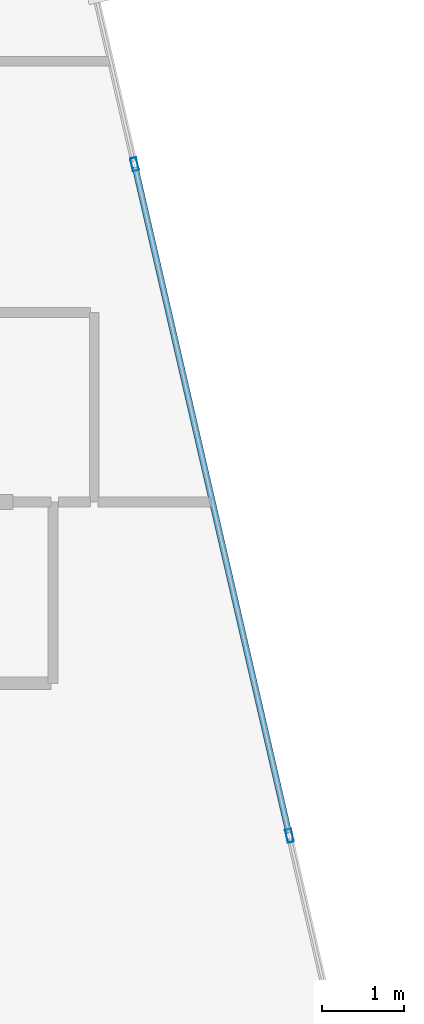
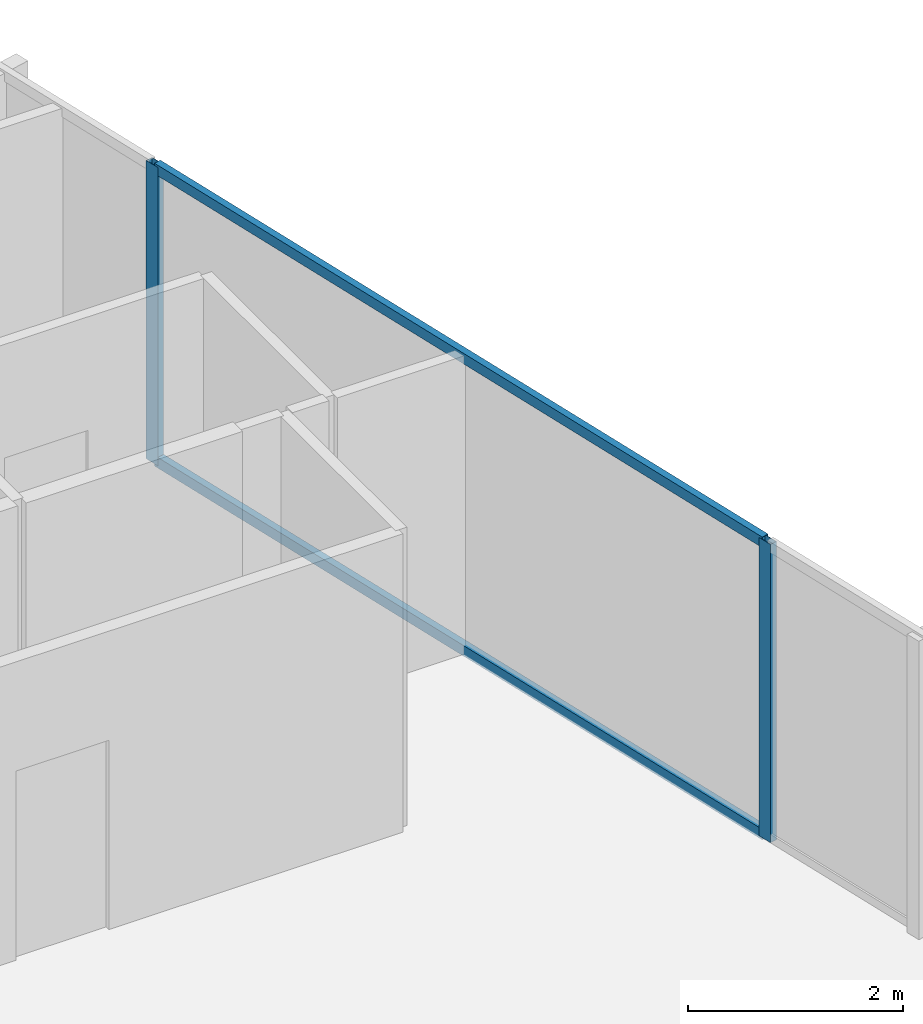
# One storey, part 20 of 29: 4 members, 1 element without a shape of its own.
"""IFC4 building model written with IfcOpenShell, lengths in metres."""

from ifc_helpers import new_model, si_unit, direction, frame, origin, origin_2d, place, context, subcontext, project, spatial, hollow_rectangle, extrude, material, layer, layer_set, material_profile, profile_set, type_object, element, aggregate, save


model = new_model("IFC4")

# Units and contexts
model_context = context("Model", 3, precision=1e-05, world=origin(), true_north=direction((0.0, 1.0)))
body_context = subcontext(model_context, "Body", "Model", "MODEL_VIEW")
ifc_project = project(units=[si_unit("LENGTHUNIT", "METRE"), si_unit("AREAUNIT", "SQUARE_METRE"), si_unit("VOLUMEUNIT", "CUBIC_METRE"), si_unit("PLANEANGLEUNIT", "RADIAN"), si_unit("MASSUNIT", "GRAM", prefix="KILO")], contexts=[model_context])

# Site, building, storey
site_placement = place(None, origin())
site = spatial("IfcSite", under=ifc_project, at=site_placement, CompositionType="ELEMENT")
building_placement = place(site_placement, origin())
building = spatial("IfcBuilding", under=site, at=building_placement, Name="Keshet Zoharim Tower", CompositionType="ELEMENT")
storey_placement = place(building_placement, frame((0.0, 0.0, 210.60009765625)))
storey = spatial("IfcBuildingStorey", under=building, at=storey_placement, Name="L52", CompositionType="ELEMENT", Elevation=210.60009765625)

# Curtain wall, members
ifc_material = material(Name="Aluminium 6063-T6", Category="aluminium")
ifc_layer = layer(ifc_material, 0.139892578125)
ifc_layer_set = layer_set([ifc_layer], Name="Aluminium 6063-T6")
curtain_wall_type = type_object("IfcCurtainWallType", Name="CW-SYS-05", PredefinedType="NOTDEFINED", material=ifc_layer_set)
curtain_wall_placement = place(storey_placement, origin())
curtain_wall = element("IfcCurtainWall", 1, at=curtain_wall_placement, inside=storey, type_object=curtain_wall_type, Name="L52 Unitised Curtain Wall 19", PredefinedType="NOTDEFINED")
ifc_material_profile_1 = material_profile(ifc_material, hollow_rectangle(XDim=0.074951171875, YDim=0.159912109375, WallThickness=0.00390625, at=origin_2d()), Name="MUL-75x160")
ifc_profile_set_1 = profile_set([ifc_material_profile_1], Name="Aluminium 6063-T6")
member_type_1 = type_object("IfcMemberType", Name="CWM-M15", PredefinedType="MULLION", material=ifc_profile_set_1)
member_1_placement = place(storey_placement, frame((41.23876953125, 44.199951171875, 0.0), z_axis=(0.0, 0.0, 1.0), x_axis=(0.974393882313, 0.224847864369, 0.0)))
member_1 = element("IfcMember", 2, at=member_1_placement, type_object=member_type_1, Name="CW-05 mullion 2", PredefinedType="MULLION", context=body_context, shape_type="SweptSolid", body=[
    extrude(hollow_rectangle(XDim=0.074951171875, YDim=0.159912109375, WallThickness=0.00390625, at=origin_2d()), origin(), (0.0, 0.0, 1.0), 3.389892578125),
])
member_2_placement = place(storey_placement, frame((43.119384765625, 36.050048828125, 0.0), z_axis=(0.0, 0.0, 1.0), x_axis=(0.974393882313, 0.224847864369, 0.0)))
member_2 = element("IfcMember", 3, at=member_2_placement, type_object=member_type_1, Name="CW-05 mullion 3", PredefinedType="MULLION", context=body_context, shape_type="SweptSolid", body=[
    extrude(hollow_rectangle(XDim=0.074951171875, YDim=0.159912109375, WallThickness=0.00390625, at=origin_2d()), origin(), (0.0, 0.0, 1.0), 3.389892578125),
])
ifc_material_profile_2 = material_profile(ifc_material, hollow_rectangle(XDim=0.074951171875, YDim=0.1201171875, WallThickness=0.00390625, at=origin_2d()), Name="TRN-75x120")
ifc_profile_set_2 = profile_set([ifc_material_profile_2], Name="Aluminium 6063-T6")
member_type_2 = type_object("IfcMemberType", Name="CWT-T12", PredefinedType="USERDEFINED", material=ifc_profile_set_2)
member_3_placement = place(storey_placement, frame((41.24658203125, 44.166015625, 0.034912109375), z_axis=(0.224848758198, -0.974393676055, 0.0), x_axis=(0.974393676055, 0.224848758198, 0.0)))
member_3 = element("IfcMember", 4, at=member_3_placement, type_object=member_type_2, Name="CW-05 transom 2.1", ObjectType="TRANSOM", PredefinedType="USERDEFINED", context=body_context, shape_type="SweptSolid", body=[
    extrude(hollow_rectangle(XDim=0.074951171875, YDim=0.1201171875, WallThickness=0.00390625, at=origin_2d()), origin(), (0.0, 0.0, 1.0), 8.29443359375),
])
member_4_placement = place(storey_placement, frame((41.24658203125, 44.166015625, 3.35498046875), z_axis=(0.224848758198, -0.974393676055, 0.0), x_axis=(0.974393676055, 0.224848758198, 0.0)))
member_4 = element("IfcMember", 5, at=member_4_placement, type_object=member_type_2, Name="CW-05 transom 2.2", ObjectType="TRANSOM", PredefinedType="USERDEFINED", context=body_context, shape_type="SweptSolid", body=[
    extrude(hollow_rectangle(XDim=0.074951171875, YDim=0.1201171875, WallThickness=0.00390625, at=origin_2d()), origin(), (0.0, 0.0, 1.0), 8.29443359375),
])
aggregate(curtain_wall, [member_1, member_2, member_3, member_4])

save(model, "model.ifc")
